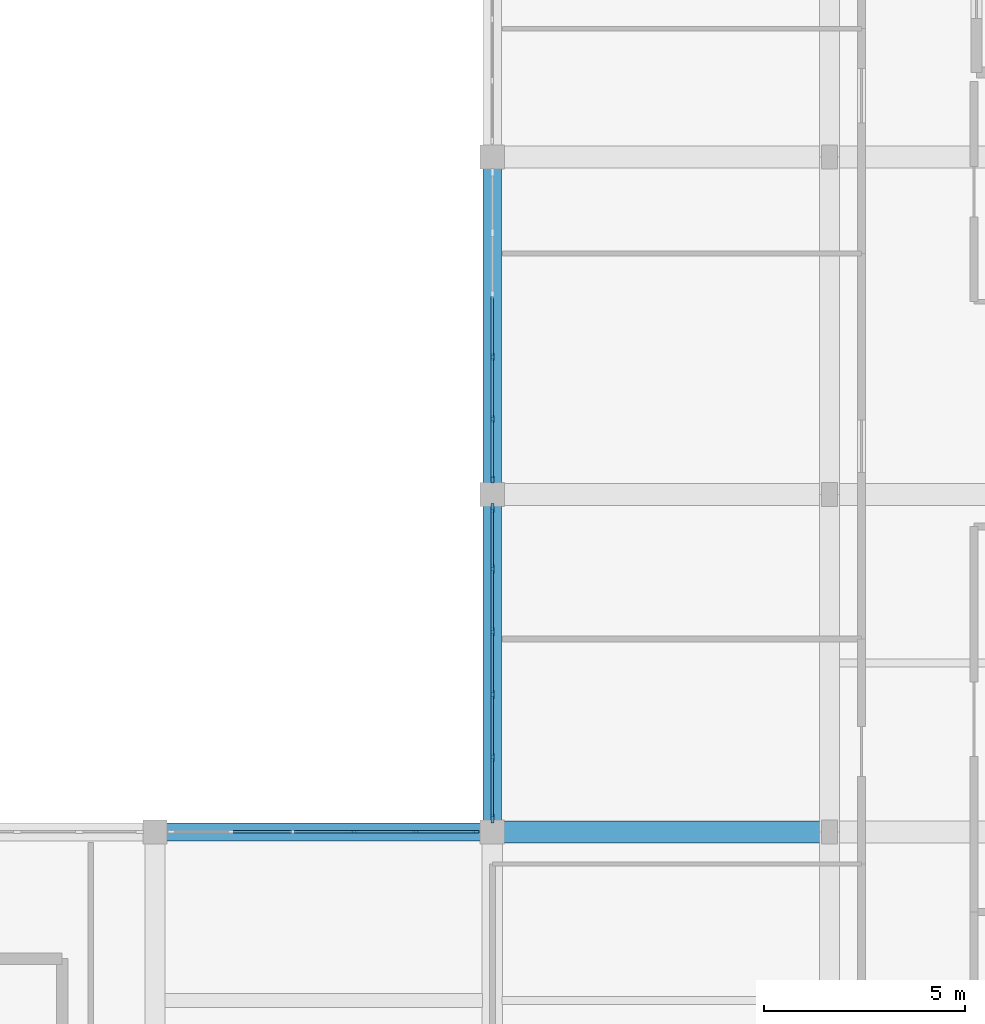
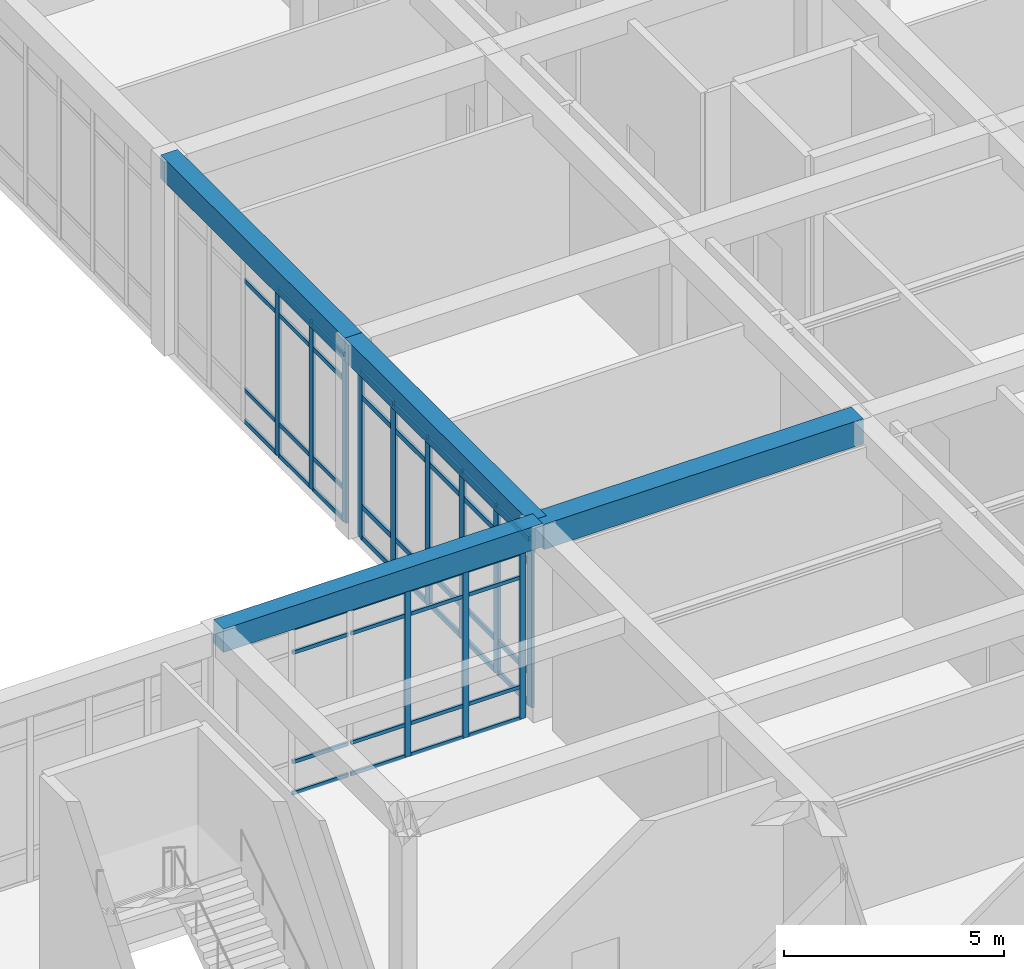
# One storey, part 47 of 157: 59 members, 4 beams, 3 elements without a shape of their own.
"""IFC4 building model written with IfcOpenShell, lengths in metres."""

from ifc_helpers import new_model, si_unit, direction, frame, origin, origin_2d, place, context, subcontext, project, spatial, rectangle, extrude, material, material_profile, profile_set, type_object, element, aggregate, save


model = new_model("IFC4")

# Units and contexts
model_context = context("Model", 3, precision=1e-05, world=origin(), true_north=direction((0.0, 1.0)))
body_context = subcontext(model_context, "Body", "Model", "MODEL_VIEW")
ifc_project = project(units=[si_unit("LENGTHUNIT", "METRE"), si_unit("AREAUNIT", "SQUARE_METRE"), si_unit("VOLUMEUNIT", "CUBIC_METRE"), si_unit("PLANEANGLEUNIT", "RADIAN"), si_unit("MASSUNIT", "GRAM", prefix="KILO")], contexts=[model_context])

# Site, building, storey
site_placement = place(None, origin())
site = spatial("IfcSite", under=ifc_project, at=site_placement, CompositionType="ELEMENT")
building_placement = place(site_placement, origin())
building = spatial("IfcBuilding", under=site, at=building_placement, Name="Varncliffe General Hospital", CompositionType="ELEMENT")
storey_placement = place(building_placement, frame((0.0, 0.0, 5.39990234375)))
storey = spatial("IfcBuildingStorey", under=building, at=storey_placement, Name="L01", CompositionType="ELEMENT", Elevation=5.39990234375)

# Beam
ifc_material_1 = material(Name="Concrete C35/45 (CSA A23.1 35 MPa)", Category="concrete")
ifc_material_profile_1 = material_profile(ifc_material_1, rectangle(XDim=0.550048828125, YDim=0.699951171875, at=origin_2d()), Name="RC 550x700")
ifc_profile_set_1 = profile_set([ifc_material_profile_1], Name="Concrete C35/45 (CSA A23.1 35 MPa)")
beam_type_1 = type_object("IfcBeamType", Name="Beam B35 (Int RC 550x700)", PredefinedType="BEAM", material=ifc_profile_set_1)
beam_1_placement = place(storey_placement, frame((151.199951171875, 40.800048828125, 5.050048828125), z_axis=(1.0, 0.0, 0.0), x_axis=(0.0, 1.0, 0.0)))
element("IfcBeam", 1, at=beam_1_placement, inside=storey, type_object=beam_type_1, Name="L01 Primary Beam B35-64", PredefinedType="BEAM", context=body_context, shape_type="SweptSolid", body=[
    extrude(rectangle(XDim=0.550048828125, YDim=0.699951171875, at=origin_2d()), origin(), (0.0, 0.0, 1.0), 8.400146484375),
])

# Curtain wall, members
ifc_material_2 = material(Name="Triple low-E argon insulated vision glazing", Category="glass")
curtain_wall_type_1 = type_object("IfcCurtainWallType", Name="Unitised Glazed Curtain Wall CW70 (7724x4640)", PredefinedType="USERDEFINED", material=ifc_material_2)
curtain_wall_1_placement = place(storey_placement, origin())
curtain_wall_1 = element("IfcCurtainWall", 2, at=curtain_wall_1_placement, inside=storey, type_object=curtain_wall_type_1, Name="L01 Glazed Curtain Wall CW70-64", ObjectType="GLAZED CURTAIN WALL", PredefinedType="USERDEFINED")
ifc_material_3 = material(Name="Dark bronze thermally broken aluminium framing", Category="aluminium")
ifc_material_profile_2 = material_profile(ifc_material_3, rectangle(XDim=0.074951171875, YDim=0.179931640625, at=origin_2d()), Name="ALU 75x180")
ifc_profile_set_2 = profile_set([ifc_material_profile_2], Name="Dark bronze thermally broken aluminium framing")
member_type_1 = type_object("IfcMemberType", Name="Curtain Wall Mullion CM44 (ALU 75x180)", PredefinedType="MULLION", material=ifc_profile_set_2)
member_1_placement = place(storey_placement, frame((151.199951171875, 49.575439453125, 0.0), z_axis=(0.0, 0.0, 1.0), x_axis=(-1.0, 0.0, 0.0)))
member_1 = element("IfcMember", 3, at=member_1_placement, type_object=member_type_1, Name="CW70 mullion 1", PredefinedType="MULLION", context=body_context, shape_type="SweptSolid", body=[
    extrude(rectangle(XDim=0.074951171875, YDim=0.179931640625, at=origin_2d()), origin(), (0.0, 0.0, 1.0), 4.64013671875),
])
member_2_placement = place(storey_placement, frame((151.199951171875, 51.082763671875, 0.0), z_axis=(0.0, 0.0, 1.0), x_axis=(-1.0, 0.0, 0.0)))
member_2 = element("IfcMember", 4, at=member_2_placement, type_object=member_type_1, Name="CW70 mullion 2", PredefinedType="MULLION", context=body_context, shape_type="SweptSolid", body=[
    extrude(rectangle(XDim=0.074951171875, YDim=0.179931640625, at=origin_2d()), origin(), (0.0, 0.0, 1.0), 4.64013671875),
])
member_3_placement = place(storey_placement, frame((151.199951171875, 52.627685546875, 0.0), z_axis=(0.0, 0.0, 1.0), x_axis=(-1.0, 0.0, 0.0)))
member_3 = element("IfcMember", 5, at=member_3_placement, type_object=member_type_1, Name="CW70 mullion 3", PredefinedType="MULLION", context=body_context, shape_type="SweptSolid", body=[
    extrude(rectangle(XDim=0.074951171875, YDim=0.179931640625, at=origin_2d()), origin(), (0.0, 0.0, 1.0), 4.64013671875),
])

curtain_wall_type_2 = type_object("IfcCurtainWallType", Name="Unitised Glazed Curtain Wall CW27 (7644x4640)", PredefinedType="USERDEFINED", material=ifc_material_2)
curtain_wall_2_placement = place(storey_placement, origin())
curtain_wall_2 = element("IfcCurtainWall", 6, at=curtain_wall_2_placement, inside=storey, type_object=curtain_wall_type_2, Name="L01 Glazed Curtain Wall CW27-62", ObjectType="GLAZED CURTAIN WALL", PredefinedType="USERDEFINED")
ifc_material_profile_3 = material_profile(ifc_material_3, rectangle(XDim=0.06494140625, YDim=0.159912109375, at=origin_2d()), Name="ALU 65x160")
ifc_profile_set_3 = profile_set([ifc_material_profile_3], Name="Dark bronze thermally broken aluminium framing")
member_type_2 = type_object("IfcMemberType", Name="Curtain Wall Mullion CM65 (ALU 65x160)", PredefinedType="MULLION", material=ifc_profile_set_3)
member_4_placement = place(storey_placement, frame((147.764404296875, 40.800048828125, 0.0), z_axis=(0.0, 0.0, 1.0), x_axis=(0.0, 1.0, 0.0)))
member_4 = element("IfcMember", 7, at=member_4_placement, type_object=member_type_2, Name="CW27 mullion 4", PredefinedType="MULLION", context=body_context, shape_type="SweptSolid", body=[
    extrude(rectangle(XDim=0.06494140625, YDim=0.159912109375, at=origin_2d()), origin(), (0.0, 0.0, 1.0), 4.64013671875),
])
member_5_placement = place(storey_placement, frame((149.293212890625, 40.800048828125, 0.0), z_axis=(0.0, 0.0, 1.0), x_axis=(0.0, 1.0, 0.0)))
member_5 = element("IfcMember", 8, at=member_5_placement, type_object=member_type_2, Name="CW27 mullion 5", PredefinedType="MULLION", context=body_context, shape_type="SweptSolid", body=[
    extrude(rectangle(XDim=0.06494140625, YDim=0.159912109375, at=origin_2d()), origin(), (0.0, 0.0, 1.0), 4.64013671875),
])
member_6_placement = place(storey_placement, frame((150.78955078125, 40.800048828125, 0.0), z_axis=(0.0, 0.0, 1.0), x_axis=(0.0, 1.0, 0.0)))
member_6 = element("IfcMember", 9, at=member_6_placement, type_object=member_type_2, Name="CW27 mullion 6", PredefinedType="MULLION", context=body_context, shape_type="SweptSolid", body=[
    extrude(rectangle(XDim=0.06494140625, YDim=0.159912109375, at=origin_2d()), origin(), (0.0, 0.0, 1.0), 4.64013671875),
])

curtain_wall_type_3 = type_object("IfcCurtainWallType", Name="Unitised Glazed Curtain Wall CW85 (7804x4640)", PredefinedType="USERDEFINED", material=ifc_material_2)
curtain_wall_3_placement = place(storey_placement, origin())
curtain_wall_3 = element("IfcCurtainWall", 10, at=curtain_wall_3_placement, inside=storey, type_object=curtain_wall_type_3, Name="L01 Glazed Curtain Wall CW85-63", ObjectType="GLAZED CURTAIN WALL", PredefinedType="USERDEFINED")
ifc_material_profile_4 = material_profile(ifc_material_3, rectangle(XDim=0.074951171875, YDim=0.219970703125, at=origin_2d()), Name="ALU 75x220")
ifc_profile_set_4 = profile_set([ifc_material_profile_4], Name="Dark bronze thermally broken aluminium framing")
member_type_3 = type_object("IfcMemberType", Name="Curtain Wall Mullion CM74 (ALU 75x220)", PredefinedType="MULLION", material=ifc_profile_set_4)
member_7_placement = place(storey_placement, frame((151.199951171875, 41.135498046875, 0.0), z_axis=(0.0, 0.0, 1.0), x_axis=(-1.0, 0.0, 0.0)))
member_7 = element("IfcMember", 11, at=member_7_placement, type_object=member_type_3, Name="CW85 mullion 1", PredefinedType="MULLION", context=body_context, shape_type="SweptSolid", body=[
    extrude(rectangle(XDim=0.074951171875, YDim=0.219970703125, at=origin_2d()), origin(), (0.0, 0.0, 1.0), 4.64013671875),
])
member_8_placement = place(storey_placement, frame((151.199951171875, 42.65869140625, 0.0), z_axis=(0.0, 0.0, 1.0), x_axis=(-1.0, 0.0, 0.0)))
member_8 = element("IfcMember", 12, at=member_8_placement, type_object=member_type_3, Name="CW85 mullion 2", PredefinedType="MULLION", context=body_context, shape_type="SweptSolid", body=[
    extrude(rectangle(XDim=0.074951171875, YDim=0.219970703125, at=origin_2d()), origin(), (0.0, 0.0, 1.0), 4.64013671875),
])
member_9_placement = place(storey_placement, frame((151.199951171875, 44.219482421875, 0.0), z_axis=(0.0, 0.0, 1.0), x_axis=(-1.0, 0.0, 0.0)))
member_9 = element("IfcMember", 13, at=member_9_placement, type_object=member_type_3, Name="CW85 mullion 3", PredefinedType="MULLION", context=body_context, shape_type="SweptSolid", body=[
    extrude(rectangle(XDim=0.074951171875, YDim=0.219970703125, at=origin_2d()), origin(), (0.0, 0.0, 1.0), 4.64013671875),
])
member_10_placement = place(storey_placement, frame((151.199951171875, 45.780517578125, 0.0), z_axis=(0.0, 0.0, 1.0), x_axis=(-1.0, 0.0, 0.0)))
member_10 = element("IfcMember", 14, at=member_10_placement, type_object=member_type_3, Name="CW85 mullion 4", PredefinedType="MULLION", context=body_context, shape_type="SweptSolid", body=[
    extrude(rectangle(XDim=0.074951171875, YDim=0.219970703125, at=origin_2d()), origin(), (0.0, 0.0, 1.0), 4.64013671875),
])
member_11_placement = place(storey_placement, frame((151.199951171875, 47.34130859375, 0.0), z_axis=(0.0, 0.0, 1.0), x_axis=(-1.0, 0.0, 0.0)))
member_11 = element("IfcMember", 15, at=member_11_placement, type_object=member_type_3, Name="CW85 mullion 5", PredefinedType="MULLION", context=body_context, shape_type="SweptSolid", body=[
    extrude(rectangle(XDim=0.074951171875, YDim=0.219970703125, at=origin_2d()), origin(), (0.0, 0.0, 1.0), 4.64013671875),
])
member_12_placement = place(storey_placement, frame((151.199951171875, 48.864501953125, 0.0), z_axis=(0.0, 0.0, 1.0), x_axis=(-1.0, 0.0, 0.0)))
member_12 = element("IfcMember", 16, at=member_12_placement, type_object=member_type_3, Name="CW85 mullion 6", PredefinedType="MULLION", context=body_context, shape_type="SweptSolid", body=[
    extrude(rectangle(XDim=0.074951171875, YDim=0.219970703125, at=origin_2d()), origin(), (0.0, 0.0, 1.0), 4.64013671875),
])

# Member
ifc_material_profile_5 = material_profile(ifc_material_3, rectangle(XDim=0.06005859375, YDim=0.1201171875, at=origin_2d()), Name="ALU 60x120")
ifc_profile_set_5 = profile_set([ifc_material_profile_5], Name="Dark bronze thermally broken aluminium framing")
member_type_4 = type_object("IfcMemberType", Name="Curtain Wall Transom CT14 (ALU 60x120)", PredefinedType="USERDEFINED", material=ifc_profile_set_5)
member_13_placement = place(storey_placement, frame((151.199951171875, 49.613037109375, 0.030029296875), z_axis=(0.0, 1.0, 0.0), x_axis=(-1.0, 0.0, 0.0)))
member_13 = element("IfcMember", 17, at=member_13_placement, type_object=member_type_4, Name="CW70 transom 1.1", ObjectType="TRANSOM", PredefinedType="USERDEFINED", context=body_context, shape_type="SweptSolid", body=[
    extrude(rectangle(XDim=0.06005859375, YDim=0.1201171875, at=origin_2d()), origin(), (0.0, 0.0, 1.0), 1.432373046875),
])

member_14_placement = place(storey_placement, frame((151.199951171875, 49.613037109375, 0.900146484375), z_axis=(0.0, 1.0, 0.0), x_axis=(-1.0, 0.0, 0.0)))
member_14 = element("IfcMember", 18, at=member_14_placement, type_object=member_type_4, Name="CW70 transom 1.2", ObjectType="TRANSOM", PredefinedType="USERDEFINED", context=body_context, shape_type="SweptSolid", body=[
    extrude(rectangle(XDim=0.06005859375, YDim=0.1201171875, at=origin_2d()), origin(), (0.0, 0.0, 1.0), 1.432373046875),
])

member_15_placement = place(storey_placement, frame((151.199951171875, 49.613037109375, 3.940185546875), z_axis=(0.0, 1.0, 0.0), x_axis=(-1.0, 0.0, 0.0)))
member_15 = element("IfcMember", 19, at=member_15_placement, type_object=member_type_4, Name="CW70 transom 1.3", ObjectType="TRANSOM", PredefinedType="USERDEFINED", context=body_context, shape_type="SweptSolid", body=[
    extrude(rectangle(XDim=0.06005859375, YDim=0.1201171875, at=origin_2d()), origin(), (0.0, 0.0, 1.0), 1.432373046875),
])

member_16_placement = place(storey_placement, frame((151.199951171875, 49.613037109375, 4.610107421875), z_axis=(0.0, 1.0, 0.0), x_axis=(-1.0, 0.0, 0.0)))
member_16 = element("IfcMember", 20, at=member_16_placement, type_object=member_type_4, Name="CW70 transom 1.4", ObjectType="TRANSOM", PredefinedType="USERDEFINED", context=body_context, shape_type="SweptSolid", body=[
    extrude(rectangle(XDim=0.06005859375, YDim=0.1201171875, at=origin_2d()), origin(), (0.0, 0.0, 1.0), 1.432373046875),
])

member_17_placement = place(storey_placement, frame((151.199951171875, 51.120361328125, 0.030029296875), z_axis=(0.0, 1.0, 0.0), x_axis=(-1.0, 0.0, 0.0)))
member_17 = element("IfcMember", 21, at=member_17_placement, type_object=member_type_4, Name="CW70 transom 2.1", ObjectType="TRANSOM", PredefinedType="USERDEFINED", context=body_context, shape_type="SweptSolid", body=[
    extrude(rectangle(XDim=0.06005859375, YDim=0.1201171875, at=origin_2d()), origin(), (0.0, 0.0, 1.0), 1.4697265625),
])

member_18_placement = place(storey_placement, frame((151.199951171875, 51.120361328125, 0.900146484375), z_axis=(0.0, 1.0, 0.0), x_axis=(-1.0, 0.0, 0.0)))
member_18 = element("IfcMember", 22, at=member_18_placement, type_object=member_type_4, Name="CW70 transom 2.2", ObjectType="TRANSOM", PredefinedType="USERDEFINED", context=body_context, shape_type="SweptSolid", body=[
    extrude(rectangle(XDim=0.06005859375, YDim=0.1201171875, at=origin_2d()), origin(), (0.0, 0.0, 1.0), 1.4697265625),
])

member_19_placement = place(storey_placement, frame((151.199951171875, 51.120361328125, 3.940185546875), z_axis=(0.0, 1.0, 0.0), x_axis=(-1.0, 0.0, 0.0)))
member_19 = element("IfcMember", 23, at=member_19_placement, type_object=member_type_4, Name="CW70 transom 2.3", ObjectType="TRANSOM", PredefinedType="USERDEFINED", context=body_context, shape_type="SweptSolid", body=[
    extrude(rectangle(XDim=0.06005859375, YDim=0.1201171875, at=origin_2d()), origin(), (0.0, 0.0, 1.0), 1.4697265625),
])

member_20_placement = place(storey_placement, frame((151.199951171875, 51.120361328125, 4.610107421875), z_axis=(0.0, 1.0, 0.0), x_axis=(-1.0, 0.0, 0.0)))
member_20 = element("IfcMember", 24, at=member_20_placement, type_object=member_type_4, Name="CW70 transom 2.4", ObjectType="TRANSOM", PredefinedType="USERDEFINED", context=body_context, shape_type="SweptSolid", body=[
    extrude(rectangle(XDim=0.06005859375, YDim=0.1201171875, at=origin_2d()), origin(), (0.0, 0.0, 1.0), 1.4697265625),
])

member_21_placement = place(storey_placement, frame((151.199951171875, 52.6650390625, 0.030029296875), z_axis=(0.0, 1.0, 0.0), x_axis=(-1.0, 0.0, 0.0)))
member_21 = element("IfcMember", 25, at=member_21_placement, type_object=member_type_4, Name="CW70 transom 3.1", ObjectType="TRANSOM", PredefinedType="USERDEFINED", context=body_context, shape_type="SweptSolid", body=[
    extrude(rectangle(XDim=0.06005859375, YDim=0.1201171875, at=origin_2d()), origin(), (0.0, 0.0, 1.0), 1.469970703125),
])

member_22_placement = place(storey_placement, frame((151.199951171875, 52.6650390625, 0.900146484375), z_axis=(0.0, 1.0, 0.0), x_axis=(-1.0, 0.0, 0.0)))
member_22 = element("IfcMember", 26, at=member_22_placement, type_object=member_type_4, Name="CW70 transom 3.2", ObjectType="TRANSOM", PredefinedType="USERDEFINED", context=body_context, shape_type="SweptSolid", body=[
    extrude(rectangle(XDim=0.06005859375, YDim=0.1201171875, at=origin_2d()), origin(), (0.0, 0.0, 1.0), 1.469970703125),
])

member_23_placement = place(storey_placement, frame((151.199951171875, 52.6650390625, 3.940185546875), z_axis=(0.0, 1.0, 0.0), x_axis=(-1.0, 0.0, 0.0)))
member_23 = element("IfcMember", 27, at=member_23_placement, type_object=member_type_4, Name="CW70 transom 3.3", ObjectType="TRANSOM", PredefinedType="USERDEFINED", context=body_context, shape_type="SweptSolid", body=[
    extrude(rectangle(XDim=0.06005859375, YDim=0.1201171875, at=origin_2d()), origin(), (0.0, 0.0, 1.0), 1.469970703125),
])

aggregate(curtain_wall_1, [member_1, member_2, member_3, member_13, member_14, member_15, member_16, member_17, member_18, member_19, member_20, member_21, member_22, member_23])

ifc_material_profile_6 = material_profile(ifc_material_3, rectangle(XDim=0.06005859375, YDim=0.10009765625, at=origin_2d()), Name="ALU 60x100")
ifc_profile_set_6 = profile_set([ifc_material_profile_6], Name="Dark bronze thermally broken aluminium framing")
member_type_5 = type_object("IfcMemberType", Name="Curtain Wall Transom CT18 (ALU 60x100)", PredefinedType="USERDEFINED", material=ifc_profile_set_6)
member_24_placement = place(storey_placement, frame((144.7392578125, 40.800048828125, 0.030029296875), z_axis=(1.0, 0.0, 0.0), x_axis=(0.0, 1.0, 0.0)))
member_24 = element("IfcMember", 28, at=member_24_placement, type_object=member_type_5, Name="CW27 transom 2.1", ObjectType="TRANSOM", PredefinedType="USERDEFINED", context=body_context, shape_type="SweptSolid", body=[
    extrude(rectangle(XDim=0.06005859375, YDim=0.10009765625, at=origin_2d()), origin(), (0.0, 0.0, 1.0), 1.4638671875),
])

member_25_placement = place(storey_placement, frame((144.7392578125, 40.800048828125, 0.900146484375), z_axis=(1.0, 0.0, 0.0), x_axis=(0.0, 1.0, 0.0)))
member_25 = element("IfcMember", 29, at=member_25_placement, type_object=member_type_5, Name="CW27 transom 2.2", ObjectType="TRANSOM", PredefinedType="USERDEFINED", context=body_context, shape_type="SweptSolid", body=[
    extrude(rectangle(XDim=0.06005859375, YDim=0.10009765625, at=origin_2d()), origin(), (0.0, 0.0, 1.0), 1.4638671875),
])

member_26_placement = place(storey_placement, frame((144.7392578125, 40.800048828125, 3.940185546875), z_axis=(1.0, 0.0, 0.0), x_axis=(0.0, 1.0, 0.0)))
member_26 = element("IfcMember", 30, at=member_26_placement, type_object=member_type_5, Name="CW27 transom 2.3", ObjectType="TRANSOM", PredefinedType="USERDEFINED", context=body_context, shape_type="SweptSolid", body=[
    extrude(rectangle(XDim=0.06005859375, YDim=0.10009765625, at=origin_2d()), origin(), (0.0, 0.0, 1.0), 1.4638671875),
])

member_27_placement = place(storey_placement, frame((144.7392578125, 40.800048828125, 4.610107421875), z_axis=(1.0, 0.0, 0.0), x_axis=(0.0, 1.0, 0.0)))
member_27 = element("IfcMember", 31, at=member_27_placement, type_object=member_type_5, Name="CW27 transom 2.4", ObjectType="TRANSOM", PredefinedType="USERDEFINED", context=body_context, shape_type="SweptSolid", body=[
    extrude(rectangle(XDim=0.06005859375, YDim=0.10009765625, at=origin_2d()), origin(), (0.0, 0.0, 1.0), 1.4638671875),
])

member_28_placement = place(storey_placement, frame((146.26806640625, 40.800048828125, 0.030029296875), z_axis=(1.0, 0.0, 0.0), x_axis=(0.0, 1.0, 0.0)))
member_28 = element("IfcMember", 32, at=member_28_placement, type_object=member_type_5, Name="CW27 transom 3.1", ObjectType="TRANSOM", PredefinedType="USERDEFINED", context=body_context, shape_type="SweptSolid", body=[
    extrude(rectangle(XDim=0.06005859375, YDim=0.10009765625, at=origin_2d()), origin(), (0.0, 0.0, 1.0), 1.4638671875),
])

member_29_placement = place(storey_placement, frame((146.26806640625, 40.800048828125, 0.900146484375), z_axis=(1.0, 0.0, 0.0), x_axis=(0.0, 1.0, 0.0)))
member_29 = element("IfcMember", 33, at=member_29_placement, type_object=member_type_5, Name="CW27 transom 3.2", ObjectType="TRANSOM", PredefinedType="USERDEFINED", context=body_context, shape_type="SweptSolid", body=[
    extrude(rectangle(XDim=0.06005859375, YDim=0.10009765625, at=origin_2d()), origin(), (0.0, 0.0, 1.0), 1.4638671875),
])

member_30_placement = place(storey_placement, frame((146.26806640625, 40.800048828125, 3.940185546875), z_axis=(1.0, 0.0, 0.0), x_axis=(0.0, 1.0, 0.0)))
member_30 = element("IfcMember", 34, at=member_30_placement, type_object=member_type_5, Name="CW27 transom 3.3", ObjectType="TRANSOM", PredefinedType="USERDEFINED", context=body_context, shape_type="SweptSolid", body=[
    extrude(rectangle(XDim=0.06005859375, YDim=0.10009765625, at=origin_2d()), origin(), (0.0, 0.0, 1.0), 1.4638671875),
])

member_31_placement = place(storey_placement, frame((146.26806640625, 40.800048828125, 4.610107421875), z_axis=(1.0, 0.0, 0.0), x_axis=(0.0, 1.0, 0.0)))
member_31 = element("IfcMember", 35, at=member_31_placement, type_object=member_type_5, Name="CW27 transom 3.4", ObjectType="TRANSOM", PredefinedType="USERDEFINED", context=body_context, shape_type="SweptSolid", body=[
    extrude(rectangle(XDim=0.06005859375, YDim=0.10009765625, at=origin_2d()), origin(), (0.0, 0.0, 1.0), 1.4638671875),
])

member_32_placement = place(storey_placement, frame((147.796875, 40.800048828125, 0.030029296875), z_axis=(1.0, 0.0, 0.0), x_axis=(0.0, 1.0, 0.0)))
member_32 = element("IfcMember", 36, at=member_32_placement, type_object=member_type_5, Name="CW27 transom 4.1", ObjectType="TRANSOM", PredefinedType="USERDEFINED", context=body_context, shape_type="SweptSolid", body=[
    extrude(rectangle(XDim=0.06005859375, YDim=0.10009765625, at=origin_2d()), origin(), (0.0, 0.0, 1.0), 1.4638671875),
])

member_33_placement = place(storey_placement, frame((147.796875, 40.800048828125, 0.900146484375), z_axis=(1.0, 0.0, 0.0), x_axis=(0.0, 1.0, 0.0)))
member_33 = element("IfcMember", 37, at=member_33_placement, type_object=member_type_5, Name="CW27 transom 4.2", ObjectType="TRANSOM", PredefinedType="USERDEFINED", context=body_context, shape_type="SweptSolid", body=[
    extrude(rectangle(XDim=0.06005859375, YDim=0.10009765625, at=origin_2d()), origin(), (0.0, 0.0, 1.0), 1.4638671875),
])

member_34_placement = place(storey_placement, frame((147.796875, 40.800048828125, 3.940185546875), z_axis=(1.0, 0.0, 0.0), x_axis=(0.0, 1.0, 0.0)))
member_34 = element("IfcMember", 38, at=member_34_placement, type_object=member_type_5, Name="CW27 transom 4.3", ObjectType="TRANSOM", PredefinedType="USERDEFINED", context=body_context, shape_type="SweptSolid", body=[
    extrude(rectangle(XDim=0.06005859375, YDim=0.10009765625, at=origin_2d()), origin(), (0.0, 0.0, 1.0), 1.4638671875),
])

member_35_placement = place(storey_placement, frame((147.796875, 40.800048828125, 4.610107421875), z_axis=(1.0, 0.0, 0.0), x_axis=(0.0, 1.0, 0.0)))
member_35 = element("IfcMember", 39, at=member_35_placement, type_object=member_type_5, Name="CW27 transom 4.4", ObjectType="TRANSOM", PredefinedType="USERDEFINED", context=body_context, shape_type="SweptSolid", body=[
    extrude(rectangle(XDim=0.06005859375, YDim=0.10009765625, at=origin_2d()), origin(), (0.0, 0.0, 1.0), 1.4638671875),
])

member_36_placement = place(storey_placement, frame((149.32568359375, 40.800048828125, 0.030029296875), z_axis=(1.0, 0.0, 0.0), x_axis=(0.0, 1.0, 0.0)))
member_36 = element("IfcMember", 40, at=member_36_placement, type_object=member_type_5, Name="CW27 transom 5.1", ObjectType="TRANSOM", PredefinedType="USERDEFINED", context=body_context, shape_type="SweptSolid", body=[
    extrude(rectangle(XDim=0.06005859375, YDim=0.10009765625, at=origin_2d()), origin(), (0.0, 0.0, 1.0), 1.431396484375),
])

member_37_placement = place(storey_placement, frame((149.32568359375, 40.800048828125, 0.900146484375), z_axis=(1.0, 0.0, 0.0), x_axis=(0.0, 1.0, 0.0)))
member_37 = element("IfcMember", 41, at=member_37_placement, type_object=member_type_5, Name="CW27 transom 5.2", ObjectType="TRANSOM", PredefinedType="USERDEFINED", context=body_context, shape_type="SweptSolid", body=[
    extrude(rectangle(XDim=0.06005859375, YDim=0.10009765625, at=origin_2d()), origin(), (0.0, 0.0, 1.0), 1.431396484375),
])

member_38_placement = place(storey_placement, frame((149.32568359375, 40.800048828125, 3.940185546875), z_axis=(1.0, 0.0, 0.0), x_axis=(0.0, 1.0, 0.0)))
member_38 = element("IfcMember", 42, at=member_38_placement, type_object=member_type_5, Name="CW27 transom 5.3", ObjectType="TRANSOM", PredefinedType="USERDEFINED", context=body_context, shape_type="SweptSolid", body=[
    extrude(rectangle(XDim=0.06005859375, YDim=0.10009765625, at=origin_2d()), origin(), (0.0, 0.0, 1.0), 1.431396484375),
])

member_39_placement = place(storey_placement, frame((149.32568359375, 40.800048828125, 4.610107421875), z_axis=(1.0, 0.0, 0.0), x_axis=(0.0, 1.0, 0.0)))
member_39 = element("IfcMember", 43, at=member_39_placement, type_object=member_type_5, Name="CW27 transom 5.4", ObjectType="TRANSOM", PredefinedType="USERDEFINED", context=body_context, shape_type="SweptSolid", body=[
    extrude(rectangle(XDim=0.06005859375, YDim=0.10009765625, at=origin_2d()), origin(), (0.0, 0.0, 1.0), 1.431396484375),
])

aggregate(curtain_wall_2, [member_4, member_5, member_6, member_24, member_25, member_26, member_27, member_28, member_29, member_30, member_31, member_32, member_33, member_34, member_35, member_36, member_37, member_38, member_39])

ifc_material_profile_7 = material_profile(ifc_material_3, rectangle(XDim=0.06494140625, YDim=0.139892578125, at=origin_2d()), Name="ALU 65x140")
ifc_profile_set_7 = profile_set([ifc_material_profile_7], Name="Dark bronze thermally broken aluminium framing")
member_type_6 = type_object("IfcMemberType", Name="Curtain Wall Transom CT69 (ALU 65x140)", PredefinedType="USERDEFINED", material=ifc_profile_set_7)
member_40_placement = place(storey_placement, frame((151.199951171875, 41.173095703125, 0.03271484375), z_axis=(0.0, 1.0, 0.0), x_axis=(-1.0, 0.0, 0.0)))
member_40 = element("IfcMember", 44, at=member_40_placement, type_object=member_type_6, Name="CW85 transom 1.1", ObjectType="TRANSOM", PredefinedType="USERDEFINED", context=body_context, shape_type="SweptSolid", body=[
    extrude(rectangle(XDim=0.06494140625, YDim=0.139892578125, at=origin_2d()), origin(), (0.0, 0.0, 1.0), 1.4482421875),
])

member_41_placement = place(storey_placement, frame((151.199951171875, 41.173095703125, 0.900146484375), z_axis=(0.0, 1.0, 0.0), x_axis=(-1.0, 0.0, 0.0)))
member_41 = element("IfcMember", 45, at=member_41_placement, type_object=member_type_6, Name="CW85 transom 1.2", ObjectType="TRANSOM", PredefinedType="USERDEFINED", context=body_context, shape_type="SweptSolid", body=[
    extrude(rectangle(XDim=0.06494140625, YDim=0.139892578125, at=origin_2d()), origin(), (0.0, 0.0, 1.0), 1.4482421875),
])

member_42_placement = place(storey_placement, frame((151.199951171875, 41.173095703125, 3.940185546875), z_axis=(0.0, 1.0, 0.0), x_axis=(-1.0, 0.0, 0.0)))
member_42 = element("IfcMember", 46, at=member_42_placement, type_object=member_type_6, Name="CW85 transom 1.3", ObjectType="TRANSOM", PredefinedType="USERDEFINED", context=body_context, shape_type="SweptSolid", body=[
    extrude(rectangle(XDim=0.06494140625, YDim=0.139892578125, at=origin_2d()), origin(), (0.0, 0.0, 1.0), 1.4482421875),
])

member_43_placement = place(storey_placement, frame((151.199951171875, 41.173095703125, 4.607666015625), z_axis=(0.0, 1.0, 0.0), x_axis=(-1.0, 0.0, 0.0)))
member_43 = element("IfcMember", 47, at=member_43_placement, type_object=member_type_6, Name="CW85 transom 1.4", ObjectType="TRANSOM", PredefinedType="USERDEFINED", context=body_context, shape_type="SweptSolid", body=[
    extrude(rectangle(XDim=0.06494140625, YDim=0.139892578125, at=origin_2d()), origin(), (0.0, 0.0, 1.0), 1.4482421875),
])

member_44_placement = place(storey_placement, frame((151.199951171875, 42.6962890625, 0.03271484375), z_axis=(0.0, 1.0, 0.0), x_axis=(-1.0, 0.0, 0.0)))
member_44 = element("IfcMember", 48, at=member_44_placement, type_object=member_type_6, Name="CW85 transom 2.1", ObjectType="TRANSOM", PredefinedType="USERDEFINED", context=body_context, shape_type="SweptSolid", body=[
    extrude(rectangle(XDim=0.06494140625, YDim=0.139892578125, at=origin_2d()), origin(), (0.0, 0.0, 1.0), 1.48583984375),
])

member_45_placement = place(storey_placement, frame((151.199951171875, 42.6962890625, 0.900146484375), z_axis=(0.0, 1.0, 0.0), x_axis=(-1.0, 0.0, 0.0)))
member_45 = element("IfcMember", 49, at=member_45_placement, type_object=member_type_6, Name="CW85 transom 2.2", ObjectType="TRANSOM", PredefinedType="USERDEFINED", context=body_context, shape_type="SweptSolid", body=[
    extrude(rectangle(XDim=0.06494140625, YDim=0.139892578125, at=origin_2d()), origin(), (0.0, 0.0, 1.0), 1.48583984375),
])

member_46_placement = place(storey_placement, frame((151.199951171875, 42.6962890625, 3.940185546875), z_axis=(0.0, 1.0, 0.0), x_axis=(-1.0, 0.0, 0.0)))
member_46 = element("IfcMember", 50, at=member_46_placement, type_object=member_type_6, Name="CW85 transom 2.3", ObjectType="TRANSOM", PredefinedType="USERDEFINED", context=body_context, shape_type="SweptSolid", body=[
    extrude(rectangle(XDim=0.06494140625, YDim=0.139892578125, at=origin_2d()), origin(), (0.0, 0.0, 1.0), 1.48583984375),
])

member_47_placement = place(storey_placement, frame((151.199951171875, 42.6962890625, 4.607666015625), z_axis=(0.0, 1.0, 0.0), x_axis=(-1.0, 0.0, 0.0)))
member_47 = element("IfcMember", 51, at=member_47_placement, type_object=member_type_6, Name="CW85 transom 2.4", ObjectType="TRANSOM", PredefinedType="USERDEFINED", context=body_context, shape_type="SweptSolid", body=[
    extrude(rectangle(XDim=0.06494140625, YDim=0.139892578125, at=origin_2d()), origin(), (0.0, 0.0, 1.0), 1.48583984375),
])

member_48_placement = place(storey_placement, frame((151.199951171875, 44.257080078125, 0.03271484375), z_axis=(0.0, 1.0, 0.0), x_axis=(-1.0, 0.0, 0.0)))
member_48 = element("IfcMember", 52, at=member_48_placement, type_object=member_type_6, Name="CW85 transom 3.1", ObjectType="TRANSOM", PredefinedType="USERDEFINED", context=body_context, shape_type="SweptSolid", body=[
    extrude(rectangle(XDim=0.06494140625, YDim=0.139892578125, at=origin_2d()), origin(), (0.0, 0.0, 1.0), 1.48583984375),
])

member_49_placement = place(storey_placement, frame((151.199951171875, 44.257080078125, 0.900146484375), z_axis=(0.0, 1.0, 0.0), x_axis=(-1.0, 0.0, 0.0)))
member_49 = element("IfcMember", 53, at=member_49_placement, type_object=member_type_6, Name="CW85 transom 3.2", ObjectType="TRANSOM", PredefinedType="USERDEFINED", context=body_context, shape_type="SweptSolid", body=[
    extrude(rectangle(XDim=0.06494140625, YDim=0.139892578125, at=origin_2d()), origin(), (0.0, 0.0, 1.0), 1.48583984375),
])

member_50_placement = place(storey_placement, frame((151.199951171875, 44.257080078125, 3.940185546875), z_axis=(0.0, 1.0, 0.0), x_axis=(-1.0, 0.0, 0.0)))
member_50 = element("IfcMember", 54, at=member_50_placement, type_object=member_type_6, Name="CW85 transom 3.3", ObjectType="TRANSOM", PredefinedType="USERDEFINED", context=body_context, shape_type="SweptSolid", body=[
    extrude(rectangle(XDim=0.06494140625, YDim=0.139892578125, at=origin_2d()), origin(), (0.0, 0.0, 1.0), 1.48583984375),
])

member_51_placement = place(storey_placement, frame((151.199951171875, 44.257080078125, 4.607666015625), z_axis=(0.0, 1.0, 0.0), x_axis=(-1.0, 0.0, 0.0)))
member_51 = element("IfcMember", 55, at=member_51_placement, type_object=member_type_6, Name="CW85 transom 3.4", ObjectType="TRANSOM", PredefinedType="USERDEFINED", context=body_context, shape_type="SweptSolid", body=[
    extrude(rectangle(XDim=0.06494140625, YDim=0.139892578125, at=origin_2d()), origin(), (0.0, 0.0, 1.0), 1.48583984375),
])

member_52_placement = place(storey_placement, frame((151.199951171875, 45.81787109375, 0.03271484375), z_axis=(0.0, 1.0, 0.0), x_axis=(-1.0, 0.0, 0.0)))
member_52 = element("IfcMember", 56, at=member_52_placement, type_object=member_type_6, Name="CW85 transom 4.1", ObjectType="TRANSOM", PredefinedType="USERDEFINED", context=body_context, shape_type="SweptSolid", body=[
    extrude(rectangle(XDim=0.06494140625, YDim=0.139892578125, at=origin_2d()), origin(), (0.0, 0.0, 1.0), 1.48583984375),
])

member_53_placement = place(storey_placement, frame((151.199951171875, 45.81787109375, 0.900146484375), z_axis=(0.0, 1.0, 0.0), x_axis=(-1.0, 0.0, 0.0)))
member_53 = element("IfcMember", 57, at=member_53_placement, type_object=member_type_6, Name="CW85 transom 4.2", ObjectType="TRANSOM", PredefinedType="USERDEFINED", context=body_context, shape_type="SweptSolid", body=[
    extrude(rectangle(XDim=0.06494140625, YDim=0.139892578125, at=origin_2d()), origin(), (0.0, 0.0, 1.0), 1.48583984375),
])

member_54_placement = place(storey_placement, frame((151.199951171875, 45.81787109375, 3.940185546875), z_axis=(0.0, 1.0, 0.0), x_axis=(-1.0, 0.0, 0.0)))
member_54 = element("IfcMember", 58, at=member_54_placement, type_object=member_type_6, Name="CW85 transom 4.3", ObjectType="TRANSOM", PredefinedType="USERDEFINED", context=body_context, shape_type="SweptSolid", body=[
    extrude(rectangle(XDim=0.06494140625, YDim=0.139892578125, at=origin_2d()), origin(), (0.0, 0.0, 1.0), 1.48583984375),
])

member_55_placement = place(storey_placement, frame((151.199951171875, 45.81787109375, 4.607666015625), z_axis=(0.0, 1.0, 0.0), x_axis=(-1.0, 0.0, 0.0)))
member_55 = element("IfcMember", 59, at=member_55_placement, type_object=member_type_6, Name="CW85 transom 4.4", ObjectType="TRANSOM", PredefinedType="USERDEFINED", context=body_context, shape_type="SweptSolid", body=[
    extrude(rectangle(XDim=0.06494140625, YDim=0.139892578125, at=origin_2d()), origin(), (0.0, 0.0, 1.0), 1.48583984375),
])

member_56_placement = place(storey_placement, frame((151.199951171875, 47.378662109375, 0.03271484375), z_axis=(0.0, 1.0, 0.0), x_axis=(-1.0, 0.0, 0.0)))
member_56 = element("IfcMember", 60, at=member_56_placement, type_object=member_type_6, Name="CW85 transom 5.1", ObjectType="TRANSOM", PredefinedType="USERDEFINED", context=body_context, shape_type="SweptSolid", body=[
    extrude(rectangle(XDim=0.06494140625, YDim=0.139892578125, at=origin_2d()), origin(), (0.0, 0.0, 1.0), 1.4482421875),
])

member_57_placement = place(storey_placement, frame((151.199951171875, 47.378662109375, 0.900146484375), z_axis=(0.0, 1.0, 0.0), x_axis=(-1.0, 0.0, 0.0)))
member_57 = element("IfcMember", 61, at=member_57_placement, type_object=member_type_6, Name="CW85 transom 5.2", ObjectType="TRANSOM", PredefinedType="USERDEFINED", context=body_context, shape_type="SweptSolid", body=[
    extrude(rectangle(XDim=0.06494140625, YDim=0.139892578125, at=origin_2d()), origin(), (0.0, 0.0, 1.0), 1.4482421875),
])

member_58_placement = place(storey_placement, frame((151.199951171875, 47.378662109375, 3.940185546875), z_axis=(0.0, 1.0, 0.0), x_axis=(-1.0, 0.0, 0.0)))
member_58 = element("IfcMember", 62, at=member_58_placement, type_object=member_type_6, Name="CW85 transom 5.3", ObjectType="TRANSOM", PredefinedType="USERDEFINED", context=body_context, shape_type="SweptSolid", body=[
    extrude(rectangle(XDim=0.06494140625, YDim=0.139892578125, at=origin_2d()), origin(), (0.0, 0.0, 1.0), 1.4482421875),
])

member_59_placement = place(storey_placement, frame((151.199951171875, 47.378662109375, 4.607666015625), z_axis=(0.0, 1.0, 0.0), x_axis=(-1.0, 0.0, 0.0)))
member_59 = element("IfcMember", 63, at=member_59_placement, type_object=member_type_6, Name="CW85 transom 5.4", ObjectType="TRANSOM", PredefinedType="USERDEFINED", context=body_context, shape_type="SweptSolid", body=[
    extrude(rectangle(XDim=0.06494140625, YDim=0.139892578125, at=origin_2d()), origin(), (0.0, 0.0, 1.0), 1.4482421875),
])

aggregate(curtain_wall_3, [member_7, member_8, member_9, member_10, member_11, member_12, member_40, member_41, member_42, member_43, member_44, member_45, member_46, member_47, member_48, member_49, member_50, member_51, member_52, member_53, member_54, member_55, member_56, member_57, member_58, member_59])

# Beams
ifc_material_profile_8 = material_profile(ifc_material_1, rectangle(XDim=0.449951171875, YDim=0.64990234375, at=origin_2d()), Name="RC 450x650")
ifc_profile_set_8 = profile_set([ifc_material_profile_8], Name="Concrete C35/45 (CSA A23.1 35 MPa)")
beam_type_2 = type_object("IfcBeamType", Name="Spandrel SP38 (Ext RC 450x650B)", PredefinedType="SPANDREL", material=ifc_profile_set_8)
for number, where, z_axis, x_axis, name in (
    (64, (142.800048828125, 40.800048828125, 5.0751953125), (1.0, 0.0, 0.0), (0.0, 1.0, 0.0), "L01 Spandrel Beam SP38-63"),
    (65, (151.199951171875, 40.800048828125, 5.0751953125), (0.0, 1.0, 0.0), (-1.0, 0.0, 0.0), "L01 Spandrel Beam SP38-465"),
):
    element("IfcBeam", number, at=place(storey_placement, frame(where, z_axis=z_axis, x_axis=x_axis)), inside=storey, type_object=beam_type_2, Name=name, PredefinedType="SPANDREL", context=body_context, shape_type="SweptSolid", body=[
        extrude(rectangle(XDim=0.449951171875, YDim=0.64990234375, at=origin_2d()), origin(), (0.0, 0.0, 1.0), 8.39990234375),
    ])
beam_2_placement = place(storey_placement, frame((151.199951171875, 49.199951171875, 5.0751953125), z_axis=(0.0, 1.0, 0.0), x_axis=(-1.0, 0.0, 0.0)))
element("IfcBeam", 66, at=beam_2_placement, inside=storey, type_object=beam_type_2, Name="L01 Spandrel Beam SP38-466", PredefinedType="SPANDREL", context=body_context, shape_type="SweptSolid", body=[
    extrude(rectangle(XDim=0.449951171875, YDim=0.64990234375, at=origin_2d()), origin(), (0.0, 0.0, 1.0), 8.400146484375),
])

save(model, "model.ifc")
